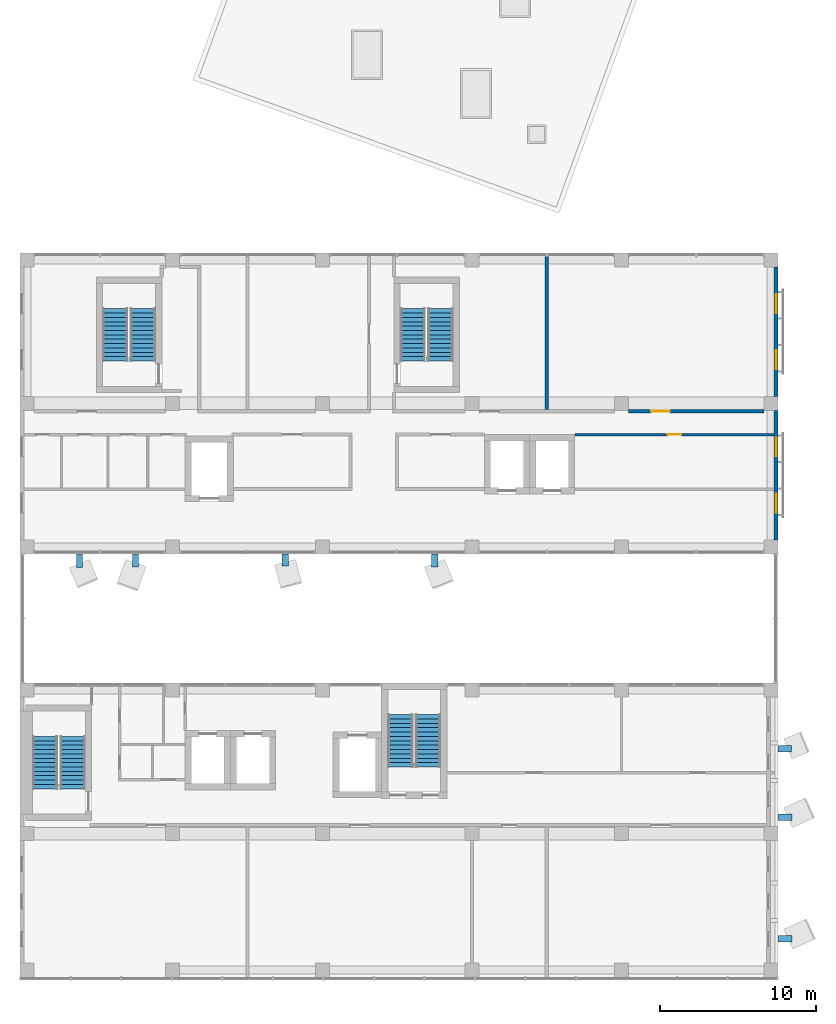
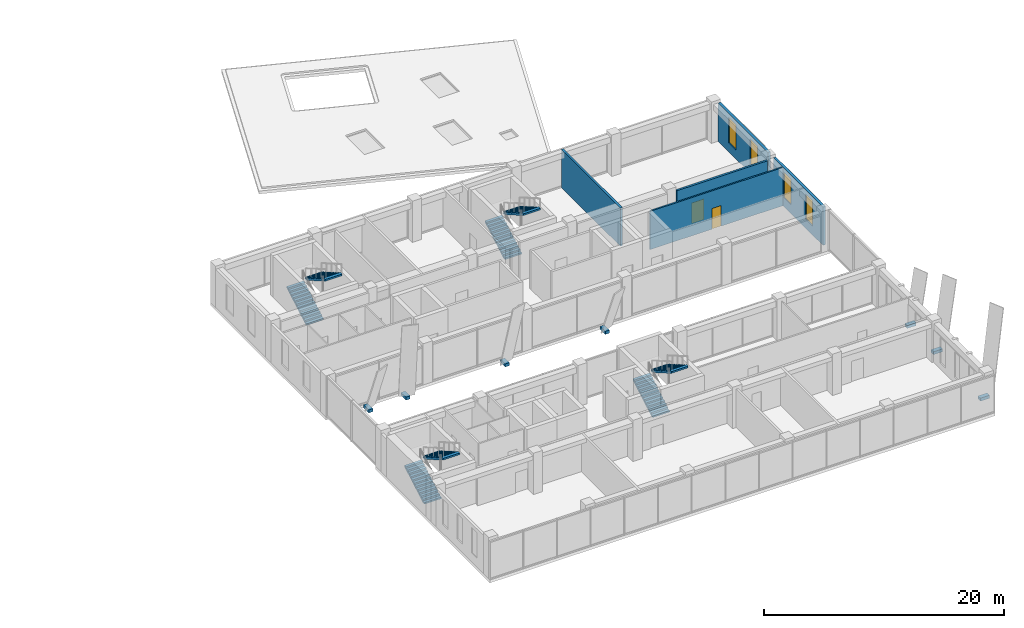
# One storey, part 29 of 36: 8 stair flights, 7 discrete accessories, 5 walls, 4 windows, 2 doors, 6 openings, 4 elements without a shape of their own.
"""IFC4 building model written with IfcOpenShell, lengths in metres."""

from ifc_helpers import new_model, si_unit, direction, frame, frame_2d, origin, origin_2d, place, context, subcontext, project, spatial, polyline, rectangle, outline, extrude, material, layer, layer_set, layer_usage, type_object, element, fill, aggregate, save


model = new_model("IFC4")

# Units and contexts
model_context = context("Model", 3, precision=1e-05, world=origin(), true_north=direction((0.0, 1.0)))
body_context = subcontext(model_context, "Body", "Model", "MODEL_VIEW")
ifc_project = project(units=[si_unit("LENGTHUNIT", "METRE"), si_unit("AREAUNIT", "SQUARE_METRE"), si_unit("VOLUMEUNIT", "CUBIC_METRE"), si_unit("PLANEANGLEUNIT", "RADIAN"), si_unit("MASSUNIT", "GRAM", prefix="KILO")], contexts=[model_context])

# Site, building, storey
site_placement = place(None, origin())
site = spatial("IfcSite", under=ifc_project, at=site_placement, CompositionType="ELEMENT")
building_placement = place(site_placement, origin())
building = spatial("IfcBuilding", under=site, at=building_placement, Name="Nzadi Deep Aquarium and Research Tower", CompositionType="ELEMENT")
storey_placement = place(building_placement, frame((0.0, 0.0, 40.300048828125)))
storey = spatial("IfcBuildingStorey", under=building, at=storey_placement, Name="L07", CompositionType="ELEMENT", Elevation=40.300048828125)

# Wall, openings, windows
ifc_material_1 = material(Name="Concrete C35/45", Category="concrete")
ifc_layer_1 = layer(ifc_material_1, 0.14990234375, Category="cladding")
ifc_material_2 = material(Name="Mineral wool insulation")
ifc_layer_2 = layer(ifc_material_2, 0.070068359375, Category="insulation")
ifc_material_3 = material(Name="Gypsum board lining")
ifc_layer_3 = layer(ifc_material_3, 0.030029296875, Category="lining")
ifc_layer_set_1 = layer_set([ifc_layer_1, ifc_layer_2, ifc_layer_3], Name="Concrete C35/45, Mineral wool insulation, Gypsum board lining")
ifc_layer_usage_1 = layer_usage(ifc_layer_set_1, "AXIS2", "POSITIVE", -0.125)
wall_type_1 = type_object("IfcWallType", Name="End wall board-formed concrete 250", PredefinedType="ELEMENTEDWALL", material=ifc_layer_set_1)
wall_1_placement = place(storey_placement, frame((48.324951171875, 37.25, 0.0), z_axis=(0.0, 0.0, 1.0), x_axis=(0.0, 1.0, 0.0)))
wall_1 = element("IfcWall", 1, at=wall_1_placement, inside=storey, type_object=wall_type_1, material=ifc_layer_usage_1, Name="End wall blade B east L07", PredefinedType="ELEMENTEDWALL", context=body_context, shape_type="SweptSolid", body=[
    extrude(rectangle(XDim=8.300048828125, YDim=0.25, at=frame_2d((4.14990234375, 0.0))), origin(), (0.0, 0.0, 1.0), 3.89990234375),
])
opening_1_placement = place(wall_1_placement, frame((1.75, 0.0, 0.89990234375)))
opening_1 = element("IfcOpeningElement", 2, at=opening_1_placement, cuts=wall_1, Name="Opening WN04", PredefinedType="OPENING", context=body_context, shape_type="SweptSolid", body=[
    extrude(rectangle(XDim=1.199951171875, YDim=2.60009765625, at=frame_2d((0.60009765625, 1.300048828125))), frame((0.0, 0.135009765625, 0.0), z_axis=(0.0, -1.0, 0.0), x_axis=(1.0, 0.0, 0.0)), (0.0, 0.0, 1.0), 0.27001953125),
])
opening_2_placement = place(wall_1_placement, frame((5.35009765625, 0.0, 0.89990234375)))
opening_2 = element("IfcOpeningElement", 3, at=opening_2_placement, cuts=wall_1, Name="Opening WN04", PredefinedType="OPENING", context=body_context, shape_type="SweptSolid", body=[
    extrude(rectangle(XDim=1.199951171875, YDim=2.60009765625, at=frame_2d((0.60009765625, 1.300048828125))), frame((0.0, 0.135009765625, 0.0), z_axis=(0.0, -1.0, 0.0), x_axis=(1.0, 0.0, 0.0)), (0.0, 0.0, 1.0), 0.27001953125),
])
ifc_material_4 = material(Name="Aluminium window, sage tint glazing", Category="aluminium")
window_type = type_object("IfcWindowType", Name="Slot window 1200x2600 sill 900", PartitioningType="SINGLE_PANEL", PredefinedType="WINDOW", material=ifc_material_4)
window_1_placement = place(opening_1_placement, origin())
window_1 = element("IfcWindow", 4, at=window_1_placement, inside=storey, type_object=window_type, Name="Slot window L07 BE", OverallHeight=2.60009765625, OverallWidth=1.199951171875, PartitioningType="SINGLE_PANEL", PredefinedType="WINDOW", context=body_context, shape_type="SweptSolid", body=[
    extrude(rectangle(XDim=1.199951171875, YDim=2.60009765625, at=frame_2d((0.60009765625, 1.300048828125))), frame((0.0, 0.030029296875, 0.0), z_axis=(0.0, -1.0, 0.0), x_axis=(1.0, 0.0, 0.0)), (0.0, 0.0, 1.0), 0.06005859375),
])
fill(opening_1, window_1)
window_2_placement = place(opening_2_placement, origin())
window_2 = element("IfcWindow", 5, at=window_2_placement, inside=storey, type_object=window_type, Name="Slot window L07 BE", OverallHeight=2.60009765625, OverallWidth=1.199951171875, PartitioningType="SINGLE_PANEL", PredefinedType="WINDOW", context=body_context, shape_type="SweptSolid", body=[
    extrude(rectangle(XDim=1.199951171875, YDim=2.60009765625, at=frame_2d((0.60009765625, 1.300048828125))), frame((0.0, 0.030029296875, 0.0), z_axis=(0.0, -1.0, 0.0), x_axis=(1.0, 0.0, 0.0)), (0.0, 0.0, 1.0), 0.06005859375),
])
fill(opening_2, window_2)

ifc_material_5 = material(Name="Graphite aluminium shingle", Category="aluminium")
ifc_layer_4 = layer(ifc_material_5, 0.050048828125, Category="cladding")
ifc_layer_5 = layer(ifc_material_1, 0.10009765625, Category="cladding")
ifc_layer_6 = layer(ifc_material_2, 0.070068359375, Category="insulation")
ifc_layer_7 = layer(ifc_material_3, 0.030029296875, Category="lining")
ifc_layer_set_2 = layer_set([ifc_layer_4, ifc_layer_5, ifc_layer_6, ifc_layer_7], Name="Graphite aluminium shingle, Concrete C35/45, Mineral wool insulation, Gypsum board lining")
ifc_layer_usage_2 = layer_usage(ifc_layer_set_2, "AXIS2", "POSITIVE", -0.125)
wall_type_2 = type_object("IfcWallType", Name="End wall shingle over board-formed concrete 250", PredefinedType="ELEMENTEDWALL", material=ifc_layer_set_2)
wall_2_placement = place(storey_placement, frame((48.324951171875, 28.050048828125, 0.0), z_axis=(0.0, 0.0, 1.0), x_axis=(0.0, 1.0, 0.0)))
wall_2 = element("IfcWall", 6, at=wall_2_placement, inside=storey, type_object=wall_type_2, material=ifc_layer_usage_2, Name="End wall blade B east L07", PredefinedType="ELEMENTEDWALL", context=body_context, shape_type="SweptSolid", body=[
    extrude(rectangle(XDim=8.300048828125, YDim=0.25, at=frame_2d((4.14990234375, 0.0))), origin(), (0.0, 0.0, 1.0), 3.89990234375),
])
opening_3_placement = place(wall_2_placement, frame((1.75, 0.0, 0.89990234375)))
opening_3 = element("IfcOpeningElement", 7, at=opening_3_placement, cuts=wall_2, Name="Opening WN04", PredefinedType="OPENING", context=body_context, shape_type="SweptSolid", body=[
    extrude(rectangle(XDim=1.199951171875, YDim=2.60009765625, at=frame_2d((0.60009765625, 1.300048828125))), frame((0.0, 0.135009765625, 0.0), z_axis=(0.0, -1.0, 0.0), x_axis=(1.0, 0.0, 0.0)), (0.0, 0.0, 1.0), 0.27001953125),
])
opening_4_placement = place(wall_2_placement, frame((5.35009765625, 0.0, 0.89990234375)))
opening_4 = element("IfcOpeningElement", 8, at=opening_4_placement, cuts=wall_2, Name="Opening WN04", PredefinedType="OPENING", context=body_context, shape_type="SweptSolid", body=[
    extrude(rectangle(XDim=1.199951171875, YDim=2.60009765625, at=frame_2d((0.60009765625, 1.300048828125))), frame((0.0, 0.135009765625, 0.0), z_axis=(0.0, -1.0, 0.0), x_axis=(1.0, 0.0, 0.0)), (0.0, 0.0, 1.0), 0.27001953125),
])
window_3_placement = place(opening_3_placement, origin())
window_3 = element("IfcWindow", 9, at=window_3_placement, inside=storey, type_object=window_type, Name="Slot window L07 BE", OverallHeight=2.60009765625, OverallWidth=1.199951171875, PartitioningType="SINGLE_PANEL", PredefinedType="WINDOW", context=body_context, shape_type="SweptSolid", body=[
    extrude(rectangle(XDim=1.199951171875, YDim=2.60009765625, at=frame_2d((0.60009765625, 1.300048828125))), frame((0.0, 0.030029296875, 0.0), z_axis=(0.0, -1.0, 0.0), x_axis=(1.0, 0.0, 0.0)), (0.0, 0.0, 1.0), 0.06005859375),
])
fill(opening_3, window_3)
window_4_placement = place(opening_4_placement, origin())
window_4 = element("IfcWindow", 10, at=window_4_placement, inside=storey, type_object=window_type, Name="Slot window L07 BE", OverallHeight=2.60009765625, OverallWidth=1.199951171875, PartitioningType="SINGLE_PANEL", PredefinedType="WINDOW", context=body_context, shape_type="SweptSolid", body=[
    extrude(rectangle(XDim=1.199951171875, YDim=2.60009765625, at=frame_2d((0.60009765625, 1.300048828125))), frame((0.0, 0.030029296875, 0.0), z_axis=(0.0, -1.0, 0.0), x_axis=(1.0, 0.0, 0.0)), (0.0, 0.0, 1.0), 0.06005859375),
])
fill(opening_4, window_4)

# Wall, opening, door
ifc_material_6 = material(Name="Blockwork masonry", Category="masonry")
ifc_layer_8 = layer(ifc_material_6, 0.14990234375)
ifc_layer_set_3 = layer_set([ifc_layer_8], Name="Blockwork masonry")
wall_type_3 = type_object("IfcWallType", Name="Partition 150 EI 60", PredefinedType="PARTITIONING", material=ifc_layer_set_3)
wall_3_placement = place(storey_placement, frame((35.406005859375, 34.800048828125, 0.0), z_axis=(0.0, 0.0, 1.0), x_axis=(1.0, 0.0, 0.0)))
wall_3 = element("IfcWall", 11, at=wall_3_placement, inside=storey, type_object=wall_type_3, Name="W-Z1-L07-P040", PredefinedType="PARTITIONING", context=body_context, shape_type="SweptSolid", body=[
    extrude(rectangle(XDim=12.7880859375, YDim=0.14990234375, at=frame_2d((6.39404296875, 0.0))), origin(), (0.0, 0.0, 1.0), 3.89990234375),
])
opening_5_placement = place(wall_3_placement, frame((5.944091796875, 0.0, 0.0)))
opening_5 = element("IfcOpeningElement", 12, at=opening_5_placement, cuts=wall_3, Name="Opening D081018", PredefinedType="OPENING", context=body_context, shape_type="SweptSolid", body=[
    extrude(rectangle(XDim=0.89990234375, YDim=2.10009765625, at=frame_2d((0.449951171875, 1.050048828125))), frame((0.0, 0.0849609375, 0.0), z_axis=(0.0, -1.0, 0.0), x_axis=(1.0, 0.0, 0.0)), (0.0, 0.0, 1.0), 0.169921875),
])
ifc_material_7 = material(Name="Fire-rated steel door", Category="steel")
ifc_layer_9 = layer(ifc_material_7, 0.050048828125)
ifc_layer_set_4 = layer_set([ifc_layer_9], Name="Fire-rated steel door")
door_type_1 = type_object("IfcDoorType", Name="Door 900x2100 EI 60 single", OperationType="SINGLE_SWING_LEFT", PredefinedType="DOOR", material=ifc_layer_set_4)
door_1_placement = place(opening_5_placement, origin())
door_1 = element("IfcDoor", 13, at=door_1_placement, inside=storey, type_object=door_type_1, Name="D081018", OperationType="SINGLE_SWING_LEFT", OverallHeight=2.10009765625, OverallWidth=0.89990234375, PredefinedType="DOOR", context=body_context, shape_type="SweptSolid", body=[
    extrude(rectangle(XDim=0.89990234375, YDim=2.10009765625, at=frame_2d((0.449951171875, 1.050048828125))), frame((0.0, 0.02490234375, 0.0), z_axis=(0.0, -1.0, 0.0), x_axis=(1.0, 0.0, 0.0)), (0.0, 0.0, 1.0), 0.050048828125),
])
fill(opening_5, door_1)

# Wall
ifc_material_8 = material(Name="Blockwork masonry", Category="masonry")
ifc_layer_10 = layer(ifc_material_8, 0.199951171875)
ifc_layer_set_5 = layer_set([ifc_layer_10], Name="Blockwork masonry")
wall_type_4 = type_object("IfcWallType", Name="Partition 200 EI 120", PredefinedType="PARTITIONING", material=ifc_layer_set_5)
wall_4_placement = place(storey_placement, frame((33.60009765625, 36.39990234375, 0.0), z_axis=(0.0, 0.0, 1.0), x_axis=(0.0, 1.0, 0.0)))
element("IfcWall", 14, at=wall_4_placement, inside=storey, type_object=wall_type_4, Name="W-Z1-L07-P038", PredefinedType="PARTITIONING", context=body_context, shape_type="SweptSolid", body=[
    extrude(rectangle(XDim=9.843994140625, YDim=0.199951171875, at=frame_2d((4.921875, 0.0))), origin(), (0.0, 0.0, 1.0), 3.89990234375),
])

# Wall, opening, door
wall_5_placement = place(storey_placement, frame((38.85009765625, 36.300048828125, 0.0), z_axis=(0.0, 0.0, 1.0), x_axis=(1.0, 0.0, 0.0)))
wall_5 = element("IfcWall", 15, at=wall_5_placement, inside=storey, type_object=wall_type_4, Name="W-Z1-L07-P042", PredefinedType="PARTITIONING", context=body_context, shape_type="SweptSolid", body=[
    extrude(rectangle(XDim=8.699951171875, YDim=0.199951171875, at=frame_2d((4.35009765625, 0.0))), origin(), (0.0, 0.0, 1.0), 3.89990234375),
])
opening_6_placement = place(wall_5_placement, frame((1.449951171875, 0.0, 0.0)))
opening_6 = element("IfcOpeningElement", 16, at=opening_6_placement, cuts=wall_5, Name="Opening D081022", PredefinedType="OPENING", context=body_context, shape_type="SweptSolid", body=[
    extrude(rectangle(XDim=1.199951171875, YDim=2.10009765625, at=frame_2d((0.60009765625, 1.050048828125))), frame((0.0, 0.110107421875, 0.0), z_axis=(0.0, -1.0, 0.0), x_axis=(1.0, 0.0, 0.0)), (0.0, 0.0, 1.0), 0.22021484375),
])
ifc_material_9 = material(Name="Fire-rated steel door", Category="steel")
ifc_layer_11 = layer(ifc_material_9, 0.050048828125)
ifc_layer_set_6 = layer_set([ifc_layer_11], Name="Fire-rated steel door")
door_type_2 = type_object("IfcDoorType", Name="Door 1200x2100 EI 120 single", OperationType="SINGLE_SWING_LEFT", PredefinedType="DOOR", material=ifc_layer_set_6)
door_2_placement = place(opening_6_placement, origin())
door_2 = element("IfcDoor", 17, at=door_2_placement, inside=storey, type_object=door_type_2, Name="D081022", OperationType="SINGLE_SWING_RIGHT", OverallHeight=2.10009765625, OverallWidth=1.199951171875, PredefinedType="DOOR", context=body_context, shape_type="SweptSolid", body=[
    extrude(rectangle(XDim=1.199951171875, YDim=2.10009765625, at=frame_2d((0.60009765625, 1.050048828125))), frame((0.0, 0.02490234375, 0.0), z_axis=(0.0, -1.0, 0.0), x_axis=(1.0, 0.0, 0.0)), (0.0, 0.0, 1.0), 0.050048828125),
])
fill(opening_6, door_2)

# Stair, stair flights
ifc_material_10 = material(Name="Concrete C35/45", Category="concrete")
stair_type = type_object("IfcStairType", Name="STAIR RETURN 3000", PredefinedType="NOTDEFINED", material=ifc_material_10)
stair_1_placement = place(storey_placement, origin())
stair_1 = element("IfcStair", 18, at=stair_1_placement, inside=storey, type_object=stair_type, Name="Stair ST-Z1-SW L07", PredefinedType="HALF_TURN_STAIR")
ifc_material_11 = material(Name="Concrete C35/45", Category="concrete")
stair_flight_type = type_object("IfcStairFlightType", Name="FLIGHT 1625 13 RISERS 161.5 GOING 280", PredefinedType="STRAIGHT", material=ifc_material_11)
stair_flight_1_placement = place(storey_placement, frame((1.41259765625, 12.070068359375, 0.0), z_axis=(0.0, 0.0, 1.0), x_axis=(0.0, 1.0, 0.0)))
stair_flight_1 = element("IfcStairFlight", 19, at=stair_flight_1_placement, type_object=stair_flight_type, Name="ST-Z1-SW flight 1", NumberOfRisers=13, NumberOfTreads=12, PredefinedType="STRAIGHT", RiserHeight=0.161538462, TreadLength=0.28, context=body_context, shape_type="SweptSolid", body=[
    extrude(outline(polyline([(0.0, 0.0), (0.0, 0.16162109375), (0.280029296875, 0.16162109375), (0.280029296875, 0.322998046875), (0.56005859375, 0.322998046875), (0.56005859375, 0.484619140625), (0.840087890625, 0.484619140625), (0.840087890625, 0.646240234375), (1.1201171875, 0.646240234375), (1.1201171875, 0.8076171875), (1.39990234375, 0.8076171875), (1.39990234375, 0.96923828125), (1.679931640625, 0.96923828125), (1.679931640625, 1.130859375), (1.9599609375, 1.130859375), (1.9599609375, 1.292236328125), (2.239990234375, 1.292236328125), (2.239990234375, 1.453857421875), (2.52001953125, 1.453857421875), (2.52001953125, 1.615478515625), (2.800048828125, 1.615478515625), (2.800048828125, 1.77685546875), (3.080078125, 1.77685546875), (3.080078125, 1.9384765625), (3.360107421875, 1.9384765625), (3.360107421875, 2.10009765625), (3.360107421875, 1.765380859375), (0.300048828125, 0.0), (0.0, 0.0)])), frame((0.0, 0.8125, 0.0), z_axis=(0.0, -1.0, 0.0), x_axis=(1.0, 0.0, 0.0)), (0.0, 0.0, 1.0), 1.625),
])
stair_flight_2_placement = place(storey_placement, frame((3.1875, 15.429931640625, 2.099853515625), z_axis=(0.0, 0.0, 1.0), x_axis=(0.0, -1.0, 0.0)))
stair_flight_2 = element("IfcStairFlight", 20, at=stair_flight_2_placement, type_object=stair_flight_type, Name="ST-Z1-SW flight 2", NumberOfRisers=13, NumberOfTreads=12, PredefinedType="STRAIGHT", RiserHeight=0.161538462, TreadLength=0.28, context=body_context, shape_type="SweptSolid", body=[
    extrude(outline(polyline([(0.0, 0.0), (0.0, 0.16162109375), (0.280029296875, 0.16162109375), (0.280029296875, 0.322998046875), (0.56005859375, 0.322998046875), (0.56005859375, 0.484619140625), (0.840087890625, 0.484619140625), (0.840087890625, 0.646240234375), (1.1201171875, 0.646240234375), (1.1201171875, 0.8076171875), (1.39990234375, 0.8076171875), (1.39990234375, 0.96923828125), (1.679931640625, 0.96923828125), (1.679931640625, 1.130859375), (1.9599609375, 1.130859375), (1.9599609375, 1.292236328125), (2.239990234375, 1.292236328125), (2.239990234375, 1.453857421875), (2.52001953125, 1.453857421875), (2.52001953125, 1.615478515625), (2.800048828125, 1.615478515625), (2.800048828125, 1.77685546875), (3.080078125, 1.77685546875), (3.080078125, 1.9384765625), (3.360107421875, 1.9384765625), (3.360107421875, 2.10009765625), (3.360107421875, 1.765380859375), (0.300048828125, 0.0), (0.0, 0.0)])), frame((0.0, 0.8125, 0.0), z_axis=(0.0, -1.0, 0.0), x_axis=(1.0, 0.0, 0.0)), (0.0, 0.0, 1.0), 1.625),
])
aggregate(stair_1, [stair_flight_1, stair_flight_2])

stair_2_placement = place(storey_placement, origin())
stair_2 = element("IfcStair", 21, at=stair_2_placement, inside=storey, type_object=stair_type, Name="Stair ST-Z1-SE L07", PredefinedType="HALF_TURN_STAIR")
stair_flight_3_placement = place(storey_placement, frame((24.21240234375, 13.469970703125, 0.0), z_axis=(0.0, 0.0, 1.0), x_axis=(0.0, 1.0, 0.0)))
stair_flight_3 = element("IfcStairFlight", 22, at=stair_flight_3_placement, type_object=stair_flight_type, Name="ST-Z1-SE flight 1", NumberOfRisers=13, NumberOfTreads=12, PredefinedType="STRAIGHT", RiserHeight=0.161538462, TreadLength=0.28, context=body_context, shape_type="SweptSolid", body=[
    extrude(outline(polyline([(0.0, 0.0), (0.0, 0.16162109375), (0.280029296875, 0.16162109375), (0.280029296875, 0.322998046875), (0.56005859375, 0.322998046875), (0.56005859375, 0.484619140625), (0.840087890625, 0.484619140625), (0.840087890625, 0.646240234375), (1.1201171875, 0.646240234375), (1.1201171875, 0.8076171875), (1.39990234375, 0.8076171875), (1.39990234375, 0.96923828125), (1.679931640625, 0.96923828125), (1.679931640625, 1.130859375), (1.9599609375, 1.130859375), (1.9599609375, 1.292236328125), (2.239990234375, 1.292236328125), (2.239990234375, 1.453857421875), (2.52001953125, 1.453857421875), (2.52001953125, 1.615478515625), (2.800048828125, 1.615478515625), (2.800048828125, 1.77685546875), (3.080078125, 1.77685546875), (3.080078125, 1.9384765625), (3.360107421875, 1.9384765625), (3.360107421875, 2.10009765625), (3.360107421875, 1.765380859375), (0.300048828125, 0.0), (0.0, 0.0)])), frame((0.0, 0.8125, 0.0), z_axis=(0.0, -1.0, 0.0), x_axis=(1.0, 0.0, 0.0)), (0.0, 0.0, 1.0), 1.625),
])
stair_flight_4_placement = place(storey_placement, frame((25.987548828125, 16.830078125, 2.099853515625), z_axis=(0.0, 0.0, 1.0), x_axis=(0.0, -1.0, 0.0)))
stair_flight_4 = element("IfcStairFlight", 23, at=stair_flight_4_placement, type_object=stair_flight_type, Name="ST-Z1-SE flight 2", NumberOfRisers=13, NumberOfTreads=12, PredefinedType="STRAIGHT", RiserHeight=0.161538462, TreadLength=0.28, context=body_context, shape_type="SweptSolid", body=[
    extrude(outline(polyline([(0.0, 0.0), (0.0, 0.16162109375), (0.280029296875, 0.16162109375), (0.280029296875, 0.322998046875), (0.56005859375, 0.322998046875), (0.56005859375, 0.484619140625), (0.840087890625, 0.484619140625), (0.840087890625, 0.646240234375), (1.1201171875, 0.646240234375), (1.1201171875, 0.8076171875), (1.39990234375, 0.8076171875), (1.39990234375, 0.96923828125), (1.679931640625, 0.96923828125), (1.679931640625, 1.130859375), (1.9599609375, 1.130859375), (1.9599609375, 1.292236328125), (2.239990234375, 1.292236328125), (2.239990234375, 1.453857421875), (2.52001953125, 1.453857421875), (2.52001953125, 1.615478515625), (2.800048828125, 1.615478515625), (2.800048828125, 1.77685546875), (3.080078125, 1.77685546875), (3.080078125, 1.9384765625), (3.360107421875, 1.9384765625), (3.360107421875, 2.10009765625), (3.360107421875, 1.765380859375), (0.300048828125, 0.0), (0.0, 0.0)])), frame((0.0, 0.8125, 0.0), z_axis=(0.0, -1.0, 0.0), x_axis=(1.0, 0.0, 0.0)), (0.0, 0.0, 1.0), 1.625),
])
aggregate(stair_2, [stair_flight_3, stair_flight_4])

stair_3_placement = place(storey_placement, origin())
stair_3 = element("IfcStair", 24, at=stair_3_placement, inside=storey, type_object=stair_type, Name="Stair ST-Z1-NW L07", PredefinedType="HALF_TURN_STAIR")
stair_flight_5_placement = place(storey_placement, frame((5.91259765625, 39.52001953125, 0.0), z_axis=(0.0, 0.0, 1.0), x_axis=(0.0, 1.0, 0.0)))
stair_flight_5 = element("IfcStairFlight", 25, at=stair_flight_5_placement, type_object=stair_flight_type, Name="ST-Z1-NW flight 1", NumberOfRisers=13, NumberOfTreads=12, PredefinedType="STRAIGHT", RiserHeight=0.161538462, TreadLength=0.28, context=body_context, shape_type="SweptSolid", body=[
    extrude(outline(polyline([(0.0, 0.0), (0.0, 0.16162109375), (0.280029296875, 0.16162109375), (0.280029296875, 0.322998046875), (0.56005859375, 0.322998046875), (0.56005859375, 0.484619140625), (0.840087890625, 0.484619140625), (0.840087890625, 0.646240234375), (1.1201171875, 0.646240234375), (1.1201171875, 0.8076171875), (1.39990234375, 0.8076171875), (1.39990234375, 0.96923828125), (1.679931640625, 0.96923828125), (1.679931640625, 1.130859375), (1.9599609375, 1.130859375), (1.9599609375, 1.292236328125), (2.239990234375, 1.292236328125), (2.239990234375, 1.453857421875), (2.52001953125, 1.453857421875), (2.52001953125, 1.615478515625), (2.800048828125, 1.615478515625), (2.800048828125, 1.77685546875), (3.080078125, 1.77685546875), (3.080078125, 1.9384765625), (3.360107421875, 1.9384765625), (3.360107421875, 2.10009765625), (3.360107421875, 1.765380859375), (0.300048828125, 0.0), (0.0, 0.0)])), frame((0.0, 0.8125, 0.0), z_axis=(0.0, -1.0, 0.0), x_axis=(1.0, 0.0, 0.0)), (0.0, 0.0, 1.0), 1.625),
])
stair_flight_6_placement = place(storey_placement, frame((7.6875, 42.8798828125, 2.099853515625), z_axis=(0.0, 0.0, 1.0), x_axis=(0.0, -1.0, 0.0)))
stair_flight_6 = element("IfcStairFlight", 26, at=stair_flight_6_placement, type_object=stair_flight_type, Name="ST-Z1-NW flight 2", NumberOfRisers=13, NumberOfTreads=12, PredefinedType="STRAIGHT", RiserHeight=0.161538462, TreadLength=0.28, context=body_context, shape_type="SweptSolid", body=[
    extrude(outline(polyline([(0.0, 0.0), (0.0, 0.16162109375), (0.280029296875, 0.16162109375), (0.280029296875, 0.322998046875), (0.56005859375, 0.322998046875), (0.56005859375, 0.484619140625), (0.840087890625, 0.484619140625), (0.840087890625, 0.646240234375), (1.1201171875, 0.646240234375), (1.1201171875, 0.8076171875), (1.39990234375, 0.8076171875), (1.39990234375, 0.96923828125), (1.679931640625, 0.96923828125), (1.679931640625, 1.130859375), (1.9599609375, 1.130859375), (1.9599609375, 1.292236328125), (2.239990234375, 1.292236328125), (2.239990234375, 1.453857421875), (2.52001953125, 1.453857421875), (2.52001953125, 1.615478515625), (2.800048828125, 1.615478515625), (2.800048828125, 1.77685546875), (3.080078125, 1.77685546875), (3.080078125, 1.9384765625), (3.360107421875, 1.9384765625), (3.360107421875, 2.10009765625), (3.360107421875, 1.765380859375), (0.300048828125, 0.0), (0.0, 0.0)])), frame((0.0, 0.8125, 0.0), z_axis=(0.0, -1.0, 0.0), x_axis=(1.0, 0.0, 0.0)), (0.0, 0.0, 1.0), 1.625),
])
aggregate(stair_3, [stair_flight_5, stair_flight_6])

stair_4_placement = place(storey_placement, origin())
stair_4 = element("IfcStair", 27, at=stair_4_placement, inside=storey, type_object=stair_type, Name="Stair ST-Z1-NE L07", PredefinedType="HALF_TURN_STAIR")
stair_flight_7_placement = place(storey_placement, frame((25.012451171875, 39.52001953125, 0.0), z_axis=(0.0, 0.0, 1.0), x_axis=(0.0, 1.0, 0.0)))
stair_flight_7 = element("IfcStairFlight", 28, at=stair_flight_7_placement, type_object=stair_flight_type, Name="ST-Z1-NE flight 1", NumberOfRisers=13, NumberOfTreads=12, PredefinedType="STRAIGHT", RiserHeight=0.161538462, TreadLength=0.28, context=body_context, shape_type="SweptSolid", body=[
    extrude(outline(polyline([(0.0, 0.0), (0.0, 0.16162109375), (0.280029296875, 0.16162109375), (0.280029296875, 0.322998046875), (0.56005859375, 0.322998046875), (0.56005859375, 0.484619140625), (0.840087890625, 0.484619140625), (0.840087890625, 0.646240234375), (1.1201171875, 0.646240234375), (1.1201171875, 0.8076171875), (1.39990234375, 0.8076171875), (1.39990234375, 0.96923828125), (1.679931640625, 0.96923828125), (1.679931640625, 1.130859375), (1.9599609375, 1.130859375), (1.9599609375, 1.292236328125), (2.239990234375, 1.292236328125), (2.239990234375, 1.453857421875), (2.52001953125, 1.453857421875), (2.52001953125, 1.615478515625), (2.800048828125, 1.615478515625), (2.800048828125, 1.77685546875), (3.080078125, 1.77685546875), (3.080078125, 1.9384765625), (3.360107421875, 1.9384765625), (3.360107421875, 2.10009765625), (3.360107421875, 1.765380859375), (0.300048828125, 0.0), (0.0, 0.0)])), frame((0.0, 0.8125, 0.0), z_axis=(0.0, -1.0, 0.0), x_axis=(1.0, 0.0, 0.0)), (0.0, 0.0, 1.0), 1.625),
])
stair_flight_8_placement = place(storey_placement, frame((26.78759765625, 42.8798828125, 2.099853515625), z_axis=(0.0, 0.0, 1.0), x_axis=(0.0, -1.0, 0.0)))
stair_flight_8 = element("IfcStairFlight", 29, at=stair_flight_8_placement, type_object=stair_flight_type, Name="ST-Z1-NE flight 2", NumberOfRisers=13, NumberOfTreads=12, PredefinedType="STRAIGHT", RiserHeight=0.161538462, TreadLength=0.28, context=body_context, shape_type="SweptSolid", body=[
    extrude(outline(polyline([(0.0, 0.0), (0.0, 0.16162109375), (0.280029296875, 0.16162109375), (0.280029296875, 0.322998046875), (0.56005859375, 0.322998046875), (0.56005859375, 0.484619140625), (0.840087890625, 0.484619140625), (0.840087890625, 0.646240234375), (1.1201171875, 0.646240234375), (1.1201171875, 0.8076171875), (1.39990234375, 0.8076171875), (1.39990234375, 0.96923828125), (1.679931640625, 0.96923828125), (1.679931640625, 1.130859375), (1.9599609375, 1.130859375), (1.9599609375, 1.292236328125), (2.239990234375, 1.292236328125), (2.239990234375, 1.453857421875), (2.52001953125, 1.453857421875), (2.52001953125, 1.615478515625), (2.800048828125, 1.615478515625), (2.800048828125, 1.77685546875), (3.080078125, 1.77685546875), (3.080078125, 1.9384765625), (3.360107421875, 1.9384765625), (3.360107421875, 2.10009765625), (3.360107421875, 1.765380859375), (0.300048828125, 0.0), (0.0, 0.0)])), frame((0.0, 0.8125, 0.0), z_axis=(0.0, -1.0, 0.0), x_axis=(1.0, 0.0, 0.0)), (0.0, 0.0, 1.0), 1.625),
])
aggregate(stair_4, [stair_flight_7, stair_flight_8])

# Discrete accessories
discrete_accessory_1_placement = place(storey_placement, frame((48.89453125, 2.43994140625, -0.30029296875), z_axis=(0.0, 0.0, 1.0), x_axis=(1.0, 0.0, 0.0)))
element("IfcDiscreteAccessory", 30, at=discrete_accessory_1_placement, inside=storey, Name="Fold blade bracket", PredefinedType="BRACKET", context=body_context, shape_type="SweptSolid", body=[
    extrude(rectangle(XDim=0.88916015625, YDim=0.39990234375, at=origin_2d()), origin(), (0.0, 0.0, 1.0), 0.300048828125),
])
discrete_accessory_2_placement = place(storey_placement, frame((48.892822265625, 10.239990234375, -0.30029296875), z_axis=(0.0, 0.0, 1.0), x_axis=(1.0, 0.0, 0.0)))
element("IfcDiscreteAccessory", 31, at=discrete_accessory_2_placement, inside=storey, Name="Fold blade bracket", PredefinedType="BRACKET", context=body_context, shape_type="SweptSolid", body=[
    extrude(rectangle(XDim=0.8857421875, YDim=0.39990234375, at=origin_2d()), origin(), (0.0, 0.0, 1.0), 0.300048828125),
])
discrete_accessory_3_placement = place(storey_placement, frame((48.884521484375, 14.639892578125, -0.30029296875), z_axis=(0.0, 0.0, 1.0), x_axis=(1.0, 0.0, 0.0)))
element("IfcDiscreteAccessory", 32, at=discrete_accessory_3_placement, inside=storey, Name="Fold blade bracket", PredefinedType="BRACKET", context=body_context, shape_type="SweptSolid", body=[
    extrude(rectangle(XDim=0.868896484375, YDim=0.39990234375, at=origin_2d()), origin(), (0.0, 0.0, 1.0), 0.300048828125),
])
discrete_accessory_4_placement = place(storey_placement, frame((3.6201171875, 26.712158203125, -0.30029296875), z_axis=(0.0, 0.0, 1.0), x_axis=(1.0, 0.0, 0.0)))
element("IfcDiscreteAccessory", 33, at=discrete_accessory_4_placement, inside=storey, Name="Fold blade bracket", PredefinedType="BRACKET", context=body_context, shape_type="SweptSolid", body=[
    extrude(rectangle(XDim=0.39990234375, YDim=0.875732421875, at=origin_2d()), origin(), (0.0, 0.0, 1.0), 0.300048828125),
])
discrete_accessory_5_placement = place(storey_placement, frame((7.219970703125, 26.733154296875, -0.30029296875), z_axis=(0.0, 0.0, 1.0), x_axis=(1.0, 0.0, 0.0)))
element("IfcDiscreteAccessory", 34, at=discrete_accessory_5_placement, inside=storey, Name="Fold blade bracket", PredefinedType="BRACKET", context=body_context, shape_type="SweptSolid", body=[
    extrude(rectangle(XDim=0.39990234375, YDim=0.833740234375, at=origin_2d()), origin(), (0.0, 0.0, 1.0), 0.300048828125),
])
discrete_accessory_6_placement = place(storey_placement, frame((16.820068359375, 26.75830078125, -0.30029296875), z_axis=(0.0, 0.0, 1.0), x_axis=(1.0, 0.0, 0.0)))
element("IfcDiscreteAccessory", 35, at=discrete_accessory_6_placement, inside=storey, Name="Fold blade bracket", PredefinedType="BRACKET", context=body_context, shape_type="SweptSolid", body=[
    extrude(rectangle(XDim=0.39990234375, YDim=0.783447265625, at=origin_2d()), origin(), (0.0, 0.0, 1.0), 0.300048828125),
])
discrete_accessory_7_placement = place(storey_placement, frame((26.419921875, 26.7216796875, -0.30029296875), z_axis=(0.0, 0.0, 1.0), x_axis=(1.0, 0.0, 0.0)))
element("IfcDiscreteAccessory", 36, at=discrete_accessory_7_placement, inside=storey, Name="Fold blade bracket", PredefinedType="BRACKET", context=body_context, shape_type="SweptSolid", body=[
    extrude(rectangle(XDim=0.39990234375, YDim=0.856689453125, at=origin_2d()), origin(), (0.0, 0.0, 1.0), 0.300048828125),
])

save(model, "model.ifc")
